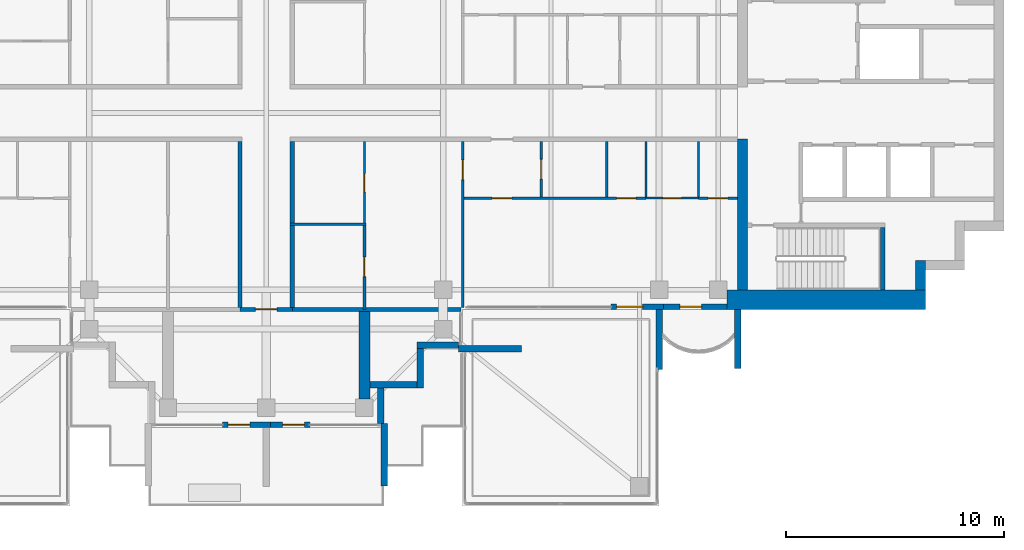
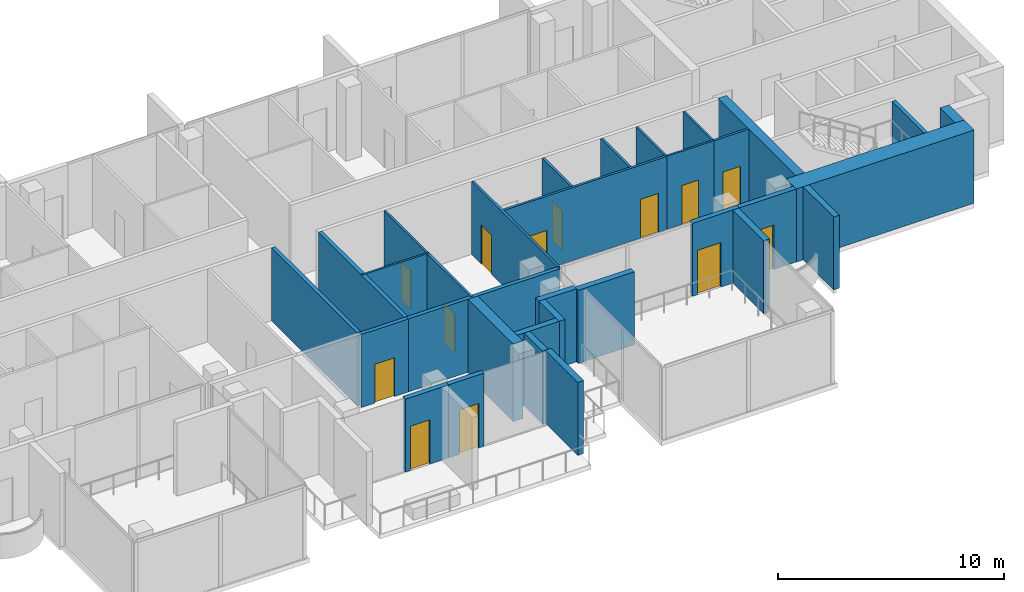
# One storey, part 9 of 16: 32 walls, 13 doors, 13 openings.
"""IFC4 building model written with IfcOpenShell, lengths in metres."""

from ifc_helpers import new_model, si_unit, direction, frame, frame_2d, origin, place, context, subcontext, project, spatial, polyline, rectangle, outline, extrude, material, layer, layer_set, material_profile, profile_set, type_object, element, fill, save


model = new_model("IFC4")

# Units and contexts
model_context = context("Model", 3, precision=1e-05, world=origin(), true_north=direction((0.0, 1.0)))
body_context = subcontext(model_context, "Body", "Model", "MODEL_VIEW")
ifc_project = project(units=[si_unit("LENGTHUNIT", "METRE"), si_unit("AREAUNIT", "SQUARE_METRE"), si_unit("VOLUMEUNIT", "CUBIC_METRE"), si_unit("PLANEANGLEUNIT", "RADIAN"), si_unit("MASSUNIT", "GRAM", prefix="KILO")], contexts=[model_context])

# Site, building, storey
site_placement = place(None, origin())
site = spatial("IfcSite", under=ifc_project, at=site_placement, CompositionType="ELEMENT")
building_placement = place(site_placement, origin())
building = spatial("IfcBuilding", under=site, at=building_placement, Name="Perihelion Cross Residences", CompositionType="ELEMENT")
storey_placement = place(building_placement, frame((0.0, 0.0, 290.39990234375)))
storey = spatial("IfcBuildingStorey", under=building, at=storey_placement, Name="L74", CompositionType="ELEMENT", Elevation=290.39990234375)

# Walls
ifc_material_1 = material(Name="Plasterboard partition")
ifc_layer_1 = layer(ifc_material_1, 0.199951171875)
ifc_layer_set_1 = layer_set([ifc_layer_1], Name="Apartment separation wall 200")
wall_type_1 = type_object("IfcWallType", Name="Apartment separation wall 200", PredefinedType="PARTITIONING", material=ifc_layer_set_1)
for number, where, z_axis, x_axis, name in (
    (1, (1.199951171875, -1.300048828125, 0.0), (0.0, 0.0, 1.0), (0.0, -1.0, 0.0), "Partition L74 W004"),
    (2, (-1.199951171875, -8.89990234375, 0.0), (0.0, 0.0, 1.0), (0.0, 1.0, 0.0), "Partition L74 W008"),
):
    element("IfcWall", number, at=place(storey_placement, frame(where, z_axis=z_axis, x_axis=x_axis)), inside=storey, type_object=wall_type_1, Name=name, PredefinedType="PARTITIONING", context=body_context, shape_type="SweptSolid", body=[
        extrude(rectangle(XDim=7.599853515625, YDim=0.199951171875, at=frame_2d((3.7998046875, 0.0))), origin(), (0.0, 0.0, 1.0), 3.9501953125),
    ])

# Wall, opening, door
wall_1_placement = place(storey_placement, frame((1.199951171875, -9.0, 0.0), z_axis=(0.0, 0.0, 1.0), x_axis=(-1.0, 0.0, 0.0)))
wall_1 = element("IfcWall", 3, at=wall_1_placement, inside=storey, type_object=wall_type_1, Name="Partition L74 W009", PredefinedType="PARTITIONING", context=body_context, shape_type="SweptSolid", body=[
    extrude(rectangle(XDim=2.39990234375, YDim=0.199951171875, at=frame_2d((1.199951171875, 0.0))), origin(), (0.0, 0.0, 1.0), 3.9501953125),
])
opening_1_placement = place(wall_1_placement, frame((0.699951171875, 0.0, 0.0)))
opening_1 = element("IfcOpeningElement", 4, at=opening_1_placement, cuts=wall_1, Name="Opening L74.A34", PredefinedType="OPENING", context=body_context, shape_type="SweptSolid", body=[
    extrude(rectangle(XDim=1.0, YDim=2.10009765625, at=frame_2d((0.5, 1.050048828125))), frame((0.0, 0.10986328125, 0.0), z_axis=(0.0, -1.0, 0.0), x_axis=(1.0, 0.0, 0.0)), (0.0, 0.0, 1.0), 0.219970703125),
])
ifc_material_2 = material(Name="Timber door leaf", Category="wood")
door_type_1 = type_object("IfcDoorType", Name="Flat entrance door 1000 x 2100", OperationType="SINGLE_SWING_LEFT", PredefinedType="DOOR", material=ifc_material_2)
door_1_placement = place(opening_1_placement, origin())
door_1 = element("IfcDoor", 5, at=door_1_placement, inside=storey, type_object=door_type_1, Name="Door L74.A34", OperationType="SINGLE_SWING_LEFT", OverallHeight=2.10009765625, OverallWidth=1.0, PredefinedType="DOOR", context=body_context, shape_type="SweptSolid", body=[
    extrude(rectangle(XDim=1.0, YDim=2.10009765625, at=frame_2d((0.5, 1.050048828125))), frame((0.0, 0.02490234375, 0.0), z_axis=(0.0, -1.0, 0.0), x_axis=(1.0, 0.0, 0.0)), (0.0, 0.0, 1.0), 0.050048828125),
])
fill(opening_1, door_1)

# Wall
wall_2_placement = place(storey_placement, frame((8.919921875, -9.0, 0.0), z_axis=(0.0, 0.0, 1.0), x_axis=(-1.0, 0.0, 0.0)))
element("IfcWall", 6, at=wall_2_placement, inside=storey, type_object=wall_type_1, Name="Partition L74 W031", PredefinedType="PARTITIONING", context=body_context, shape_type="SweptSolid", body=[
    extrude(rectangle(XDim=7.719970703125, YDim=0.199951171875, at=frame_2d((3.85986328125, 0.0))), origin(), (0.0, 0.0, 1.0), 3.9501953125),
])

# Wall, opening, door
ifc_material_3 = material(Name="Concrete C30/37, bronze-clad", Category="concrete")
ifc_layer_2 = layer(ifc_material_3, 0.25)
ifc_layer_set_2 = layer_set([ifc_layer_2], Name="Bronze-clad pier wall 250")
wall_type_2 = type_object("IfcWallType", Name="Bronze-clad pier wall 250", PredefinedType="SOLIDWALL", material=ifc_layer_set_2)
wall_3_placement = place(storey_placement, frame((-2.0, -14.27490234375, 0.0), z_axis=(0.0, 0.0, 1.0), x_axis=(1.0, 0.0, 0.0)))
wall_3 = element("IfcWall", 7, at=wall_3_placement, inside=storey, type_object=wall_type_2, Name="Wall FW1 L74 south tip south bay 1 pier", PredefinedType="SOLIDWALL", context=body_context, shape_type="SweptSolid", body=[
    extrude(rectangle(XDim=2.199951171875, YDim=0.25, at=frame_2d((1.10009765625, 0.0))), origin(), (0.0, 0.0, 1.0), 3.9501953125),
])
opening_2_placement = place(wall_3_placement, frame((0.25, 0.0, 0.0)))
opening_2 = element("IfcOpeningElement", 8, at=opening_2_placement, cuts=wall_3, Name="Opening L74.E09", PredefinedType="OPENING", context=body_context, shape_type="SweptSolid", body=[
    extrude(rectangle(XDim=1.0, YDim=2.39990234375, at=frame_2d((0.5, 1.199951171875))), frame((0.0, 0.135009765625, 0.0), z_axis=(0.0, -1.0, 0.0), x_axis=(1.0, 0.0, 0.0)), (0.0, 0.0, 1.0), 0.27001953125),
])
ifc_material_4 = material(Name="Bronze anodised aluminium, glazed", Category="aluminium")
door_type_2 = type_object("IfcDoorType", Name="Balcony door 1000 x 2400", OperationType="NOTDEFINED", PredefinedType="DOOR", material=ifc_material_4)
door_2_placement = place(opening_2_placement, origin())
door_2 = element("IfcDoor", 9, at=door_2_placement, inside=storey, type_object=door_type_2, Name="Door L74.E09 south tip south bay 1", OperationType="SINGLE_SWING_RIGHT", OverallHeight=2.39990234375, OverallWidth=1.0, PredefinedType="DOOR", context=body_context, shape_type="SweptSolid", body=[
    extrude(rectangle(XDim=1.0, YDim=2.39990234375, at=frame_2d((0.5, 1.199951171875))), frame((0.0, 0.02490234375, 0.0), z_axis=(0.0, -1.0, 0.0), x_axis=(1.0, 0.0, 0.0)), (0.0, 0.0, 1.0), 0.050048828125),
])
fill(opening_2, door_2)

wall_4_placement = place(storey_placement, frame((0.199951171875, -14.27490234375, 0.0), z_axis=(0.0, 0.0, 1.0), x_axis=(1.0, 0.0, 0.0)))
wall_4 = element("IfcWall", 10, at=wall_4_placement, inside=storey, type_object=wall_type_2, Name="Wall FW1 L74 south tip south bay 2 pier", PredefinedType="SOLIDWALL", context=body_context, shape_type="SweptSolid", body=[
    extrude(rectangle(XDim=1.800048828125, YDim=0.25, at=frame_2d((0.89990234375, 0.0))), origin(), (0.0, 0.0, 1.0), 3.9501953125),
])
opening_3_placement = place(wall_4_placement, frame((0.550048828125, 0.0, 0.0)))
opening_3 = element("IfcOpeningElement", 11, at=opening_3_placement, cuts=wall_4, Name="Opening L74.E10", PredefinedType="OPENING", context=body_context, shape_type="SweptSolid", body=[
    extrude(rectangle(XDim=1.0, YDim=2.39990234375, at=frame_2d((0.5, 1.199951171875))), frame((0.0, 0.135009765625, 0.0), z_axis=(0.0, -1.0, 0.0), x_axis=(1.0, 0.0, 0.0)), (0.0, 0.0, 1.0), 0.27001953125),
])
door_3_placement = place(opening_3_placement, origin())
door_3 = element("IfcDoor", 12, at=door_3_placement, inside=storey, type_object=door_type_2, Name="Door L74.E10 south tip south bay 2", OperationType="SINGLE_SWING_LEFT", OverallHeight=2.39990234375, OverallWidth=1.0, PredefinedType="DOOR", context=body_context, shape_type="SweptSolid", body=[
    extrude(rectangle(XDim=1.0, YDim=2.39990234375, at=frame_2d((0.5, 1.199951171875))), frame((0.0, 0.02490234375, 0.0), z_axis=(0.0, -1.0, 0.0), x_axis=(1.0, 0.0, 0.0)), (0.0, 0.0, 1.0), 0.050048828125),
])
fill(opening_3, door_3)

wall_5_placement = place(storey_placement, frame((15.800048828125, -8.875, 0.0), z_axis=(0.0, 0.0, 1.0), x_axis=(1.0, 0.0, 0.0)))
wall_5 = element("IfcWall", 13, at=wall_5_placement, inside=storey, type_object=wall_type_2, Name="Wall FW1 L74 east side south bay 1 pier", PredefinedType="SOLIDWALL", context=body_context, shape_type="SweptSolid", body=[
    extrude(rectangle(XDim=2.39990234375, YDim=0.25, at=frame_2d((1.199951171875, 0.0))), origin(), (0.0, 0.0, 1.0), 3.9501953125),
])
opening_4_placement = place(wall_5_placement, frame((0.25, 0.0, 0.0)))
opening_4 = element("IfcOpeningElement", 14, at=opening_4_placement, cuts=wall_5, Name="Opening L74.E11", PredefinedType="OPENING", context=body_context, shape_type="SweptSolid", body=[
    extrude(rectangle(XDim=1.199951171875, YDim=2.39990234375, at=frame_2d((0.60009765625, 1.199951171875))), frame((0.0, 0.135009765625, 0.0), z_axis=(0.0, -1.0, 0.0), x_axis=(1.0, 0.0, 0.0)), (0.0, 0.0, 1.0), 0.27001953125),
])
ifc_material_5 = material(Name="Bronze anodised aluminium, glazed", Category="aluminium")
door_type_3 = type_object("IfcDoorType", Name="Balcony door 1200 x 2400", OperationType="NOTDEFINED", PredefinedType="DOOR", material=ifc_material_5)
door_4_placement = place(opening_4_placement, origin())
door_4 = element("IfcDoor", 15, at=door_4_placement, inside=storey, type_object=door_type_3, Name="Door L74.E11 east side south bay 1", OperationType="SINGLE_SWING_LEFT", OverallHeight=2.39990234375, OverallWidth=1.199951171875, PredefinedType="DOOR", context=body_context, shape_type="SweptSolid", body=[
    extrude(rectangle(XDim=1.199951171875, YDim=2.39990234375, at=frame_2d((0.60009765625, 1.199951171875))), frame((0.0, 0.02490234375, 0.0), z_axis=(0.0, -1.0, 0.0), x_axis=(1.0, 0.0, 0.0)), (0.0, 0.0, 1.0), 0.050048828125),
])
fill(opening_4, door_4)

wall_6_placement = place(storey_placement, frame((18.199951171875, -8.875, 0.0), z_axis=(0.0, 0.0, 1.0), x_axis=(1.0, 0.0, 0.0)))
wall_6 = element("IfcWall", 16, at=wall_6_placement, inside=storey, type_object=wall_type_2, Name="Wall FW1 L74 east side south bay 2 pier", PredefinedType="SOLIDWALL", context=body_context, shape_type="SweptSolid", body=[
    extrude(rectangle(XDim=2.900146484375, YDim=0.25, at=frame_2d((1.4501953125, 0.0))), origin(), (0.0, 0.0, 1.0), 3.9501953125),
])
opening_5_placement = place(wall_6_placement, frame((0.75, 0.0, 0.0)))
opening_5 = element("IfcOpeningElement", 17, at=opening_5_placement, cuts=wall_6, Name="Opening L74.E12", PredefinedType="OPENING", context=body_context, shape_type="SweptSolid", body=[
    extrude(rectangle(XDim=1.0, YDim=2.39990234375, at=frame_2d((0.5, 1.199951171875))), frame((0.0, 0.135009765625, 0.0), z_axis=(0.0, -1.0, 0.0), x_axis=(1.0, 0.0, 0.0)), (0.0, 0.0, 1.0), 0.27001953125),
])
door_5_placement = place(opening_5_placement, origin())
door_5 = element("IfcDoor", 18, at=door_5_placement, inside=storey, type_object=door_type_2, Name="Door L74.E12 east side south bay 2", OperationType="SINGLE_SWING_RIGHT", OverallHeight=2.39990234375, OverallWidth=1.0, PredefinedType="DOOR", context=body_context, shape_type="SweptSolid", body=[
    extrude(rectangle(XDim=1.0, YDim=2.39990234375, at=frame_2d((0.5, 1.199951171875))), frame((0.0, 0.02490234375, 0.0), z_axis=(0.0, -1.0, 0.0), x_axis=(1.0, 0.0, 0.0)), (0.0, 0.0, 1.0), 0.050048828125),
])
fill(opening_5, door_5)

# Walls
ifc_material_6 = material(Name="Concrete C30/37, bronze-clad", Category="concrete")
ifc_layer_3 = layer(ifc_material_6, 0.300048828125)
ifc_layer_set_3 = layer_set([ifc_layer_3], Name="Bronze-clad serration wall 300")
wall_type_3 = type_object("IfcWallType", Name="Bronze-clad serration wall 300", PredefinedType="SOLIDWALL", material=ifc_layer_set_3)
wall_7_placement = place(storey_placement, frame((5.25, -14.219970703125, 0.0), z_axis=(0.0, 0.0, 1.0), x_axis=(0.0, 1.0, 0.0)))
element("IfcWall", 19, at=wall_7_placement, inside=storey, type_object=wall_type_3, Name="Wall SR1 L74 south corner south-east 1", PredefinedType="SOLIDWALL", context=body_context, shape_type="SweptSolid", body=[
    extrude(rectangle(XDim=1.619873046875, YDim=0.300048828125, at=frame_2d((0.81005859375, 0.0))), origin(), (0.0, 0.0, 1.0), 3.9501953125),
])
wall_8_placement = place(storey_placement, frame((4.75, -12.449951171875, 0.0), z_axis=(0.0, 0.0, 1.0), x_axis=(1.0, 0.0, 0.0)))
element("IfcWall", 20, at=wall_8_placement, inside=storey, type_object=wall_type_3, Name="Wall SR1 L74 south corner south-east 2", PredefinedType="SOLIDWALL", context=body_context, shape_type="SweptSolid", body=[
    extrude(rectangle(XDim=2.14990234375, YDim=0.300048828125, at=frame_2d((1.074951171875, 0.0))), origin(), (0.0, 0.0, 1.0), 3.9501953125),
])
wall_9_placement = place(storey_placement, frame((7.050048828125, -12.60009765625, 0.0), z_axis=(0.0, 0.0, 1.0), x_axis=(0.0, 1.0, 0.0)))
element("IfcWall", 21, at=wall_9_placement, inside=storey, type_object=wall_type_3, Name="Wall SR1 L74 south corner south-east 3", PredefinedType="SOLIDWALL", context=body_context, shape_type="SweptSolid", body=[
    extrude(rectangle(XDim=1.800048828125, YDim=0.300048828125, at=frame_2d((0.89990234375, 0.0))), origin(), (0.0, 0.0, 1.0), 3.9501953125),
])
wall_10_placement = place(storey_placement, frame((6.89990234375, -10.64990234375, 0.0), z_axis=(0.0, 0.0, 1.0), x_axis=(1.0, 0.0, 0.0)))
element("IfcWall", 22, at=wall_10_placement, inside=storey, type_object=wall_type_3, Name="Wall SR1 L74 south corner south-east 4", PredefinedType="SOLIDWALL", context=body_context, shape_type="SweptSolid", body=[
    extrude(rectangle(XDim=1.920166015625, YDim=0.300048828125, at=frame_2d((0.9599609375, 0.0))), origin(), (0.0, 0.0, 1.0), 3.9501953125),
])
ifc_material_7 = material(Name="Concrete C60/75", Category="concrete")
ifc_layer_4 = layer(ifc_material_7, 0.449951171875)
ifc_layer_set_4 = layer_set([ifc_layer_4], Name="Core wall, inner 450")
wall_type_4 = type_object("IfcWallType", Name="Core wall, inner 450", PredefinedType="SHEAR", material=ifc_layer_set_4)
wall_11_placement = place(storey_placement, frame((21.824951171875, -8.10009765625, 0.0), z_axis=(0.0, 0.0, 1.0), x_axis=(0.0, 1.0, 0.0)))
element("IfcWall", 23, at=wall_11_placement, inside=storey, type_object=wall_type_4, Name="East core core wall, inner", PredefinedType="SHEAR", context=body_context, shape_type="SweptSolid", body=[
    extrude(rectangle(XDim=6.900146484375, YDim=0.449951171875, at=frame_2d((3.4501953125, 0.0))), origin(), (0.0, 0.0, 1.0), 3.9501953125),
])
ifc_material_8 = material(Name="Concrete C60/75", Category="concrete")
ifc_layer_5 = layer(ifc_material_8, 0.449951171875)
ifc_layer_set_5 = layer_set([ifc_layer_5], Name="Core wall, outer 450")
wall_type_5 = type_object("IfcWallType", Name="Core wall, outer 450", PredefinedType="SHEAR", material=ifc_layer_set_5)
wall_12_placement = place(storey_placement, frame((29.97509765625, -8.10009765625, 0.0), z_axis=(0.0, 0.0, 1.0), x_axis=(0.0, 1.0, 0.0)))
element("IfcWall", 24, at=wall_12_placement, inside=storey, type_object=wall_type_5, Name="East core core wall, outer", PredefinedType="SHEAR", context=body_context, shape_type="SweptSolid", body=[
    extrude(rectangle(XDim=1.35009765625, YDim=0.449951171875, at=frame_2d((0.675048828125, 0.0))), origin(), (0.0, 0.0, 1.0), 3.9501953125),
])
ifc_material_9 = material(Name="Concrete C60/75", Category="concrete")
ifc_layer_6 = layer(ifc_material_9, 0.89990234375)
ifc_layer_set_6 = layer_set([ifc_layer_6], Name="Core wall, outer 900")
wall_type_6 = type_object("IfcWallType", Name="Core wall, outer 900", PredefinedType="SHEAR", material=ifc_layer_set_6)
wall_13_placement = place(storey_placement, frame((21.10009765625, -8.550048828125, 0.0), z_axis=(0.0, 0.0, 1.0), x_axis=(1.0, 0.0, 0.0)))
element("IfcWall", 25, at=wall_13_placement, inside=storey, type_object=wall_type_6, Name="East core core wall, outer", PredefinedType="SHEAR", context=body_context, shape_type="SweptSolid", body=[
    extrude(rectangle(XDim=9.099853515625, YDim=0.89990234375, at=frame_2d((4.5498046875, 0.0))), origin(), (0.0, 0.0, 1.0), 3.9501953125),
])

# Wall, opening, door
ifc_material_10 = material(Name="Plasterboard partition")
ifc_layer_7 = layer(ifc_material_10, 0.1201171875)
ifc_layer_set_7 = layer_set([ifc_layer_7], Name="Partition wall 120")
wall_type_7 = type_object("IfcWallType", Name="Partition wall 120", PredefinedType="PARTITIONING", material=ifc_layer_set_7)
wall_14_placement = place(storey_placement, frame((12.60009765625, -1.300048828125, 0.0), z_axis=(0.0, 0.0, 1.0), x_axis=(0.0, -1.0, 0.0)))
wall_14 = element("IfcWall", 26, at=wall_14_placement, inside=storey, type_object=wall_type_7, Name="Partition L74 W021", PredefinedType="PARTITIONING", context=body_context, shape_type="SweptSolid", body=[
    extrude(rectangle(XDim=2.5400390625, YDim=0.1201171875, at=frame_2d((1.27001953125, 0.0))), origin(), (0.0, 0.0, 1.0), 3.9501953125),
])
opening_6_placement = place(wall_14_placement, frame((0.820068359375, 0.0, 0.0)))
opening_6 = element("IfcOpeningElement", 27, at=opening_6_placement, cuts=wall_14, Name="Opening L74.A13", PredefinedType="OPENING", context=body_context, shape_type="SweptSolid", body=[
    extrude(rectangle(XDim=0.89990234375, YDim=2.10009765625, at=frame_2d((0.449951171875, 1.050048828125))), frame((0.0, 0.070068359375, 0.0), z_axis=(0.0, -1.0, 0.0), x_axis=(1.0, 0.0, 0.0)), (0.0, 0.0, 1.0), 0.14013671875),
])
ifc_material_11 = material(Name="Timber door leaf", Category="wood")
door_type_4 = type_object("IfcDoorType", Name="Interior room door 900 x 2100", OperationType="SINGLE_SWING_LEFT", PredefinedType="DOOR", material=ifc_material_11)
door_6_placement = place(opening_6_placement, origin())
door_6 = element("IfcDoor", 28, at=door_6_placement, inside=storey, type_object=door_type_4, Name="Door L74.A13", OperationType="SINGLE_SWING_LEFT", OverallHeight=2.10009765625, OverallWidth=0.89990234375, PredefinedType="DOOR", context=body_context, shape_type="SweptSolid", body=[
    extrude(rectangle(XDim=0.89990234375, YDim=2.10009765625, at=frame_2d((0.449951171875, 1.050048828125))), frame((0.0, 0.02490234375, 0.0), z_axis=(0.0, -1.0, 0.0), x_axis=(1.0, 0.0, 0.0)), (0.0, 0.0, 1.0), 0.050048828125),
])
fill(opening_6, door_6)

# Wall, openings, doors
wall_15_placement = place(storey_placement, frame((17.39990234375, -3.89990234375, 0.0), z_axis=(0.0, 0.0, 1.0), x_axis=(-1.0, 0.0, 0.0)))
wall_15 = element("IfcWall", 29, at=wall_15_placement, inside=storey, type_object=wall_type_7, Name="Partition L74 W022", PredefinedType="PARTITIONING", context=body_context, shape_type="SweptSolid", body=[
    extrude(rectangle(XDim=8.4599609375, YDim=0.1201171875, at=frame_2d((4.22998046875, 0.0))), origin(), (0.0, 0.0, 1.0), 3.9501953125),
])
opening_7_placement = place(wall_15_placement, frame((0.449951171875, 0.0, 0.0)))
opening_7 = element("IfcOpeningElement", 30, at=opening_7_placement, cuts=wall_15, Name="Opening L74.A14", PredefinedType="OPENING", context=body_context, shape_type="SweptSolid", body=[
    extrude(rectangle(XDim=0.89990234375, YDim=2.10009765625, at=frame_2d((0.449951171875, 1.050048828125))), frame((0.0, 0.070068359375, 0.0), z_axis=(0.0, -1.0, 0.0), x_axis=(1.0, 0.0, 0.0)), (0.0, 0.0, 1.0), 0.14013671875),
])
opening_8_placement = place(wall_15_placement, frame((6.14990234375, 0.0, 0.0)))
opening_8 = element("IfcOpeningElement", 31, at=opening_8_placement, cuts=wall_15, Name="Opening L74.A16", PredefinedType="OPENING", context=body_context, shape_type="SweptSolid", body=[
    extrude(rectangle(XDim=0.89990234375, YDim=2.10009765625, at=frame_2d((0.449951171875, 1.050048828125))), frame((0.0, 0.070068359375, 0.0), z_axis=(0.0, -1.0, 0.0), x_axis=(1.0, 0.0, 0.0)), (0.0, 0.0, 1.0), 0.14013671875),
])
door_7_placement = place(opening_7_placement, origin())
door_7 = element("IfcDoor", 32, at=door_7_placement, inside=storey, type_object=door_type_4, Name="Door L74.A14", OperationType="SINGLE_SWING_RIGHT", OverallHeight=2.10009765625, OverallWidth=0.89990234375, PredefinedType="DOOR", context=body_context, shape_type="SweptSolid", body=[
    extrude(rectangle(XDim=0.89990234375, YDim=2.10009765625, at=frame_2d((0.449951171875, 1.050048828125))), frame((0.0, 0.02490234375, 0.0), z_axis=(0.0, -1.0, 0.0), x_axis=(1.0, 0.0, 0.0)), (0.0, 0.0, 1.0), 0.050048828125),
])
fill(opening_7, door_7)
door_8_placement = place(opening_8_placement, origin())
door_8 = element("IfcDoor", 33, at=door_8_placement, inside=storey, type_object=door_type_4, Name="Door L74.A16", OperationType="SINGLE_SWING_RIGHT", OverallHeight=2.10009765625, OverallWidth=0.89990234375, PredefinedType="DOOR", context=body_context, shape_type="SweptSolid", body=[
    extrude(rectangle(XDim=0.89990234375, YDim=2.10009765625, at=frame_2d((0.449951171875, 1.050048828125))), frame((0.0, 0.02490234375, 0.0), z_axis=(0.0, -1.0, 0.0), x_axis=(1.0, 0.0, 0.0)), (0.0, 0.0, 1.0), 0.050048828125),
])
fill(opening_8, door_8)

# Wall, opening, door
wall_16_placement = place(storey_placement, frame((9.0, -8.919921875, 0.0), z_axis=(0.0, 0.0, 1.0), x_axis=(0.0, 1.0, 0.0)))
wall_16 = element("IfcWall", 34, at=wall_16_placement, inside=storey, type_object=wall_type_7, Name="Partition L74 W023", PredefinedType="PARTITIONING", context=body_context, shape_type="SweptSolid", body=[
    extrude(rectangle(XDim=7.619873046875, YDim=0.1201171875, at=frame_2d((3.81005859375, 0.0))), origin(), (0.0, 0.0, 1.0), 3.9501953125),
])
opening_9_placement = place(wall_16_placement, frame((5.8701171875, 0.0, 0.0)))
opening_9 = element("IfcOpeningElement", 35, at=opening_9_placement, cuts=wall_16, Name="Opening L74.A12", PredefinedType="OPENING", context=body_context, shape_type="SweptSolid", body=[
    extrude(rectangle(XDim=0.89990234375, YDim=2.10009765625, at=frame_2d((0.449951171875, 1.050048828125))), frame((0.0, 0.070068359375, 0.0), z_axis=(0.0, -1.0, 0.0), x_axis=(1.0, 0.0, 0.0)), (0.0, 0.0, 1.0), 0.14013671875),
])
door_9_placement = place(opening_9_placement, origin())
door_9 = element("IfcDoor", 36, at=door_9_placement, inside=storey, type_object=door_type_4, Name="Door L74.A12", OperationType="SINGLE_SWING_RIGHT", OverallHeight=2.10009765625, OverallWidth=0.89990234375, PredefinedType="DOOR", context=body_context, shape_type="SweptSolid", body=[
    extrude(rectangle(XDim=0.89990234375, YDim=2.10009765625, at=frame_2d((0.449951171875, 1.050048828125))), frame((0.0, 0.02490234375, 0.0), z_axis=(0.0, -1.0, 0.0), x_axis=(1.0, 0.0, 0.0)), (0.0, 0.0, 1.0), 0.050048828125),
])
fill(opening_9, door_9)

# Wall
wall_17_placement = place(storey_placement, frame((15.60009765625, -1.300048828125, 0.0), z_axis=(0.0, 0.0, 1.0), x_axis=(0.0, -1.0, 0.0)))
element("IfcWall", 37, at=wall_17_placement, inside=storey, type_object=wall_type_7, Name="Partition L74 W024", PredefinedType="PARTITIONING", context=body_context, shape_type="SweptSolid", body=[
    extrude(rectangle(XDim=2.5400390625, YDim=0.1201171875, at=frame_2d((1.27001953125, 0.0))), origin(), (0.0, 0.0, 1.0), 3.9501953125),
])

# Wall, opening, door
wall_18_placement = place(storey_placement, frame((21.60009765625, -3.89990234375, 0.0), z_axis=(0.0, 0.0, 1.0), x_axis=(-1.0, 0.0, 0.0)))
wall_18 = element("IfcWall", 38, at=wall_18_placement, inside=storey, type_object=wall_type_7, Name="Partition L74 W028", PredefinedType="PARTITIONING", context=body_context, shape_type="SweptSolid", body=[
    extrude(rectangle(XDim=1.800048828125, YDim=0.1201171875, at=frame_2d((0.89990234375, 0.0))), origin(), (0.0, 0.0, 1.0), 3.9501953125),
])
opening_10_placement = place(wall_18_placement, frame((0.449951171875, 0.0, 0.0)))
opening_10 = element("IfcOpeningElement", 39, at=opening_10_placement, cuts=wall_18, Name="Opening L74.A10", PredefinedType="OPENING", context=body_context, shape_type="SweptSolid", body=[
    extrude(rectangle(XDim=0.89990234375, YDim=2.10009765625, at=frame_2d((0.449951171875, 1.050048828125))), frame((0.0, 0.070068359375, 0.0), z_axis=(0.0, -1.0, 0.0), x_axis=(1.0, 0.0, 0.0)), (0.0, 0.0, 1.0), 0.14013671875),
])
door_10_placement = place(opening_10_placement, origin())
door_10 = element("IfcDoor", 40, at=door_10_placement, inside=storey, type_object=door_type_4, Name="Door L74.A10", OperationType="SINGLE_SWING_LEFT", OverallHeight=2.10009765625, OverallWidth=0.89990234375, PredefinedType="DOOR", context=body_context, shape_type="SweptSolid", body=[
    extrude(rectangle(XDim=0.89990234375, YDim=2.10009765625, at=frame_2d((0.449951171875, 1.050048828125))), frame((0.0, 0.02490234375, 0.0), z_axis=(0.0, -1.0, 0.0), x_axis=(1.0, 0.0, 0.0)), (0.0, 0.0, 1.0), 0.050048828125),
])
fill(opening_10, door_10)

wall_19_placement = place(storey_placement, frame((4.5, -9.0, 0.0), z_axis=(0.0, 0.0, 1.0), x_axis=(0.0, 1.0, 0.0)))
wall_19 = element("IfcWall", 41, at=wall_19_placement, inside=storey, type_object=wall_type_7, Name="Partition L74 W030", PredefinedType="PARTITIONING", context=body_context, shape_type="SweptSolid", body=[
    extrude(rectangle(XDim=3.89990234375, YDim=0.1201171875, at=frame_2d((1.949951171875, 0.0))), origin(), (0.0, 0.0, 1.0), 3.9501953125),
])
opening_11_placement = place(wall_19_placement, frame((1.5, 0.0, 0.0)))
opening_11 = element("IfcOpeningElement", 42, at=opening_11_placement, cuts=wall_19, Name="Opening L74.A15", PredefinedType="OPENING", context=body_context, shape_type="SweptSolid", body=[
    extrude(rectangle(XDim=0.89990234375, YDim=2.10009765625, at=frame_2d((0.449951171875, 1.050048828125))), frame((0.0, 0.070068359375, 0.0), z_axis=(0.0, -1.0, 0.0), x_axis=(1.0, 0.0, 0.0)), (0.0, 0.0, 1.0), 0.14013671875),
])
door_11_placement = place(opening_11_placement, origin())
door_11 = element("IfcDoor", 43, at=door_11_placement, inside=storey, type_object=door_type_4, Name="Door L74.A15", OperationType="SINGLE_SWING_RIGHT", OverallHeight=2.10009765625, OverallWidth=0.89990234375, PredefinedType="DOOR", context=body_context, shape_type="SweptSolid", body=[
    extrude(rectangle(XDim=0.89990234375, YDim=2.10009765625, at=frame_2d((0.449951171875, 1.050048828125))), frame((0.0, 0.02490234375, 0.0), z_axis=(0.0, -1.0, 0.0), x_axis=(1.0, 0.0, 0.0)), (0.0, 0.0, 1.0), 0.050048828125),
])
fill(opening_11, door_11)

# Walls
ifc_material_12 = material(Name="Precast concrete C50/60", Category="concrete")
ifc_layer_8 = layer(ifc_material_12, 0.300048828125)
ifc_layer_set_8 = layer_set([ifc_layer_8], Name="Precast concrete C50/60 blade wall 300")
wall_type_8 = type_object("IfcWallType", Name="Precast concrete C50/60 blade wall 300", PredefinedType="SOLIDWALL", material=ifc_layer_set_8)
wall_20_placement = place(storey_placement, frame((5.39990234375, -14.219970703125, 0.0), z_axis=(0.0, 0.0, 1.0), x_axis=(0.0, -1.0, 0.0)))
element("IfcWall", 44, at=wall_20_placement, inside=storey, type_object=wall_type_8, Name="Wall BL1 L74 no. 14", PredefinedType="SOLIDWALL", context=body_context, shape_type="SweptSolid", body=[
    extrude(rectangle(XDim=2.880126953125, YDim=0.300048828125, at=frame_2d((1.43994140625, 0.0))), origin(), (0.0, 0.0, 1.0), 3.9501953125),
])
wall_21_placement = place(storey_placement, frame((8.820068359375, -10.800048828125, 0.0), z_axis=(0.0, 0.0, 1.0), x_axis=(1.0, 0.0, 0.0)))
element("IfcWall", 45, at=wall_21_placement, inside=storey, type_object=wall_type_8, Name="Wall BL1 L74 no. 15", PredefinedType="SOLIDWALL", context=body_context, shape_type="SweptSolid", body=[
    extrude(rectangle(XDim=2.8798828125, YDim=0.300048828125, at=frame_2d((1.43994140625, 0.0))), origin(), (0.0, 0.0, 1.0), 3.9501953125),
])
wall_22_placement = place(storey_placement, frame((18.0, -9.0, 0.0), z_axis=(0.0, 0.0, 1.0), x_axis=(0.0, -1.0, 0.0)))
element("IfcWall", 46, at=wall_22_placement, inside=storey, type_object=wall_type_8, Name="Wall BL1 L74 no. 10", PredefinedType="SOLIDWALL", context=body_context, shape_type="SweptSolid", body=[
    extrude(rectangle(XDim=2.739990234375, YDim=0.300048828125, at=frame_2d((1.3701171875, 0.0))), origin(), (0.0, 0.0, 1.0), 3.9501953125),
])
wall_23_placement = place(storey_placement, frame((21.60009765625, -9.0, 0.0), z_axis=(0.0, 0.0, 1.0), x_axis=(0.0, -1.0, 0.0)))
element("IfcWall", 47, at=wall_23_placement, inside=storey, type_object=wall_type_8, Name="Wall BL1 L74 no. 12", PredefinedType="SOLIDWALL", context=body_context, shape_type="SweptSolid", body=[
    extrude(rectangle(XDim=2.699951171875, YDim=0.300048828125, at=frame_2d((1.35009765625, 0.0))), origin(), (0.0, 0.0, 1.0), 3.9501953125),
])
ifc_material_13 = material(Name="Concrete C50/60", Category="concrete")
ifc_layer_9 = layer(ifc_material_13, 0.199951171875)
ifc_layer_set_9 = layer_set([ifc_layer_9], Name="Stair wall 200")
wall_type_9 = type_object("IfcWallType", Name="Stair wall 200", PredefinedType="SOLIDWALL", material=ifc_layer_set_9)
wall_24_placement = place(storey_placement, frame((28.25, -8.10009765625, 0.0), z_axis=(0.0, 0.0, 1.0), x_axis=(0.0, 1.0, 0.0)))
element("IfcWall", 48, at=wall_24_placement, inside=storey, type_object=wall_type_9, Name="East core stair wall", PredefinedType="SOLIDWALL", context=body_context, shape_type="SweptSolid", body=[
    extrude(rectangle(XDim=2.85009765625, YDim=0.199951171875, at=frame_2d((1.425048828125, 0.0))), origin(), (0.0, 0.0, 1.0), 3.9501953125),
])
ifc_material_14 = material(Name="Concrete C50/60", Category="concrete")
ifc_material_profile = material_profile(ifc_material_14, outline(polyline([(0.0, 0.0), (4.10009765625, 0.0), (4.10009765625, 4.199951171875), (0.0, 4.199951171875), (0.0, 0.0)])), Name="Tip spine wall")
ifc_profile_set = profile_set([ifc_material_profile], Name="Concrete C50/60")
wall_type_10 = type_object("IfcWallType", Name="Tip spine wall 500 with 0 door openings 4100 long 4200 high concrete C50/60", PredefinedType="SHEAR", material=ifc_profile_set)
wall_25_placement = place(storey_placement, frame((4.25, -13.10009765625, -0.25), z_axis=(1.0, 0.0, 0.0), x_axis=(0.0, 1.0, 0.0)))
element("IfcWall", 49, at=wall_25_placement, inside=storey, type_object=wall_type_10, Name="Shear wall SW48 L74 south east", PredefinedType="SHEAR", context=body_context, shape_type="SweptSolid", body=[
    extrude(outline(polyline([(0.0, 0.0), (4.10009765625, 0.0), (4.10009765625, 4.199951171875), (0.0, 4.199951171875), (0.0, 0.0)])), origin(), (0.0, 0.0, 1.0), 0.5),
])
ifc_material_15 = material(Name="Plasterboard partition")
ifc_layer_10 = layer(ifc_material_15, 0.10009765625)
ifc_layer_set_10 = layer_set([ifc_layer_10], Name="Wet room wall 100")
wall_type_11 = type_object("IfcWallType", Name="Wet room wall 100", PredefinedType="PARTITIONING", material=ifc_layer_set_10)
for number, where, z_axis, x_axis, name in (
    (50, (17.39990234375, -1.300048828125, 0.0), (0.0, 0.0, 1.0), (0.0, -1.0, 0.0), "Partition L74 W025"),
    (51, (19.800048828125, -1.300048828125, 0.0), (0.0, 0.0, 1.0), (0.0, -1.0, 0.0), "Partition L74 W026"),
):
    element("IfcWall", number, at=place(storey_placement, frame(where, z_axis=z_axis, x_axis=x_axis)), inside=storey, type_object=wall_type_11, Name=name, PredefinedType="PARTITIONING", context=body_context, shape_type="SweptSolid", body=[
        extrude(rectangle(XDim=2.5400390625, YDim=0.10009765625, at=frame_2d((1.27001953125, 0.0))), origin(), (0.0, 0.0, 1.0), 3.9501953125),
    ])

# Wall, opening, door
wall_26_placement = place(storey_placement, frame((19.800048828125, -3.89990234375, 0.0), z_axis=(0.0, 0.0, 1.0), x_axis=(-1.0, 0.0, 0.0)))
wall_26 = element("IfcWall", 52, at=wall_26_placement, inside=storey, type_object=wall_type_11, Name="Partition L74 W027", PredefinedType="PARTITIONING", context=body_context, shape_type="SweptSolid", body=[
    extrude(rectangle(XDim=2.400146484375, YDim=0.10009765625, at=frame_2d((1.2001953125, 0.0))), origin(), (0.0, 0.0, 1.0), 3.9501953125),
])
opening_12_placement = place(wall_26_placement, frame((0.77490234375, 0.0, 0.0)))
opening_12 = element("IfcOpeningElement", 53, at=opening_12_placement, cuts=wall_26, Name="Opening L74.A09", PredefinedType="OPENING", context=body_context, shape_type="SweptSolid", body=[
    extrude(rectangle(XDim=0.85009765625, YDim=2.10009765625, at=frame_2d((0.425048828125, 1.050048828125))), frame((0.0, 0.06005859375, 0.0), z_axis=(0.0, -1.0, 0.0), x_axis=(1.0, 0.0, 0.0)), (0.0, 0.0, 1.0), 0.1201171875),
])
ifc_material_16 = material(Name="Timber door leaf", Category="wood")
door_type_5 = type_object("IfcDoorType", Name="Interior bathroom door 850 x 2100", OperationType="SINGLE_SWING_LEFT", PredefinedType="DOOR", material=ifc_material_16)
door_12_placement = place(opening_12_placement, origin())
door_12 = element("IfcDoor", 54, at=door_12_placement, inside=storey, type_object=door_type_5, Name="Door L74.A09", OperationType="SINGLE_SWING_RIGHT", OverallHeight=2.10009765625, OverallWidth=0.85009765625, PredefinedType="DOOR", context=body_context, shape_type="SweptSolid", body=[
    extrude(rectangle(XDim=0.85009765625, YDim=2.10009765625, at=frame_2d((0.425048828125, 1.050048828125))), frame((0.0, 0.02490234375, 0.0), z_axis=(0.0, -1.0, 0.0), x_axis=(1.0, 0.0, 0.0)), (0.0, 0.0, 1.0), 0.050048828125),
])
fill(opening_12, door_12)

wall_27_placement = place(storey_placement, frame((4.5, -5.10009765625, 0.0), z_axis=(0.0, 0.0, 1.0), x_axis=(0.0, 1.0, 0.0)))
wall_27 = element("IfcWall", 55, at=wall_27_placement, inside=storey, type_object=wall_type_11, Name="Partition L74 W029", PredefinedType="PARTITIONING", context=body_context, shape_type="SweptSolid", body=[
    extrude(rectangle(XDim=3.800048828125, YDim=0.10009765625, at=frame_2d((1.89990234375, 0.0))), origin(), (0.0, 0.0, 1.0), 3.9501953125),
])
opening_13_placement = place(wall_27_placement, frame((1.47509765625, 0.0, 0.0)))
opening_13 = element("IfcOpeningElement", 56, at=opening_13_placement, cuts=wall_27, Name="Opening L74.A11", PredefinedType="OPENING", context=body_context, shape_type="SweptSolid", body=[
    extrude(rectangle(XDim=0.85009765625, YDim=2.10009765625, at=frame_2d((0.425048828125, 1.050048828125))), frame((0.0, 0.06005859375, 0.0), z_axis=(0.0, -1.0, 0.0), x_axis=(1.0, 0.0, 0.0)), (0.0, 0.0, 1.0), 0.1201171875),
])
door_13_placement = place(opening_13_placement, origin())
door_13 = element("IfcDoor", 57, at=door_13_placement, inside=storey, type_object=door_type_5, Name="Door L74.A11", OperationType="SINGLE_SWING_RIGHT", OverallHeight=2.10009765625, OverallWidth=0.85009765625, PredefinedType="DOOR", context=body_context, shape_type="SweptSolid", body=[
    extrude(rectangle(XDim=0.85009765625, YDim=2.10009765625, at=frame_2d((0.425048828125, 1.050048828125))), frame((0.0, 0.02490234375, 0.0), z_axis=(0.0, -1.0, 0.0), x_axis=(1.0, 0.0, 0.0)), (0.0, 0.0, 1.0), 0.050048828125),
])
fill(opening_13, door_13)

# Wall
wall_28_placement = place(storey_placement, frame((4.56005859375, -5.10009765625, 0.0), z_axis=(0.0, 0.0, 1.0), x_axis=(-1.0, 0.0, 0.0)))
element("IfcWall", 58, at=wall_28_placement, inside=storey, type_object=wall_type_11, Name="Partition L74 W032", PredefinedType="PARTITIONING", context=body_context, shape_type="SweptSolid", body=[
    extrude(rectangle(XDim=3.4599609375, YDim=0.10009765625, at=frame_2d((1.72998046875, 0.0))), origin(), (0.0, 0.0, 1.0), 3.9501953125),
])

save(model, "model.ifc")
